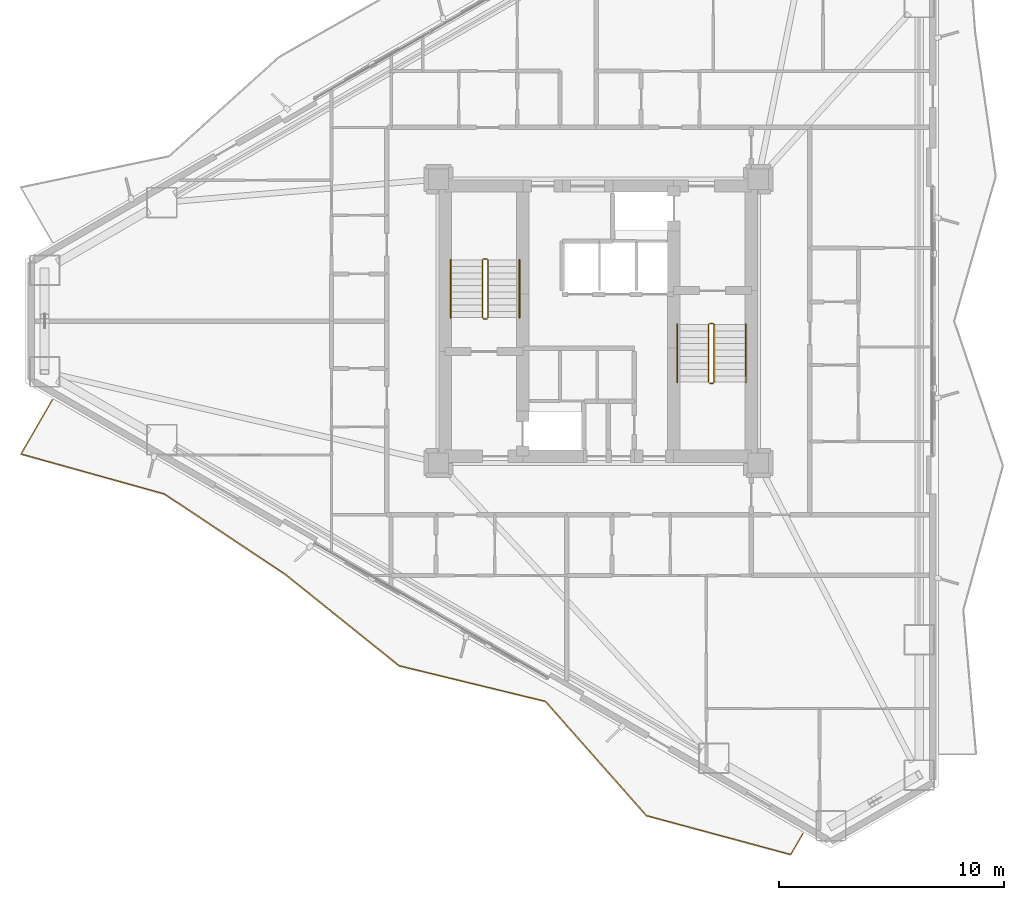
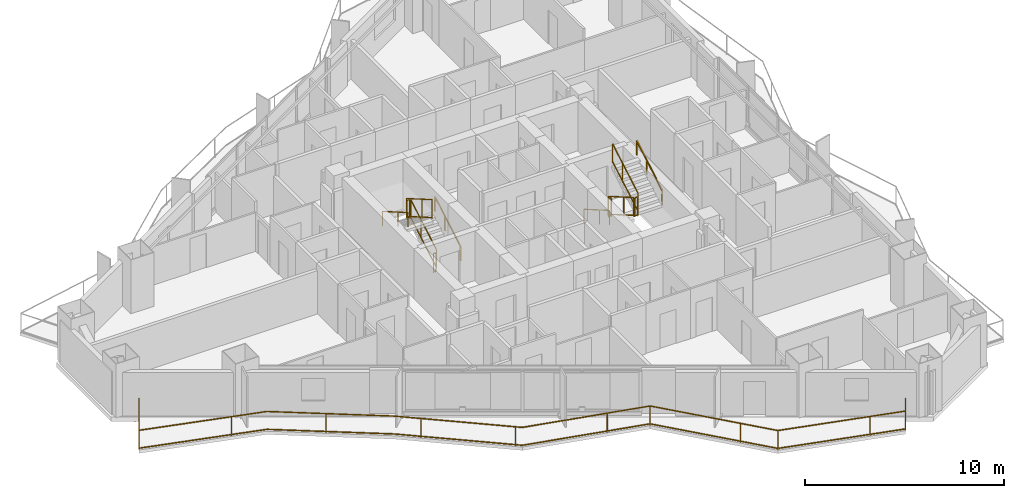
# One storey, part 17 of 18: 13 railings.
"""IFC4 building model written with IfcOpenShell, lengths in metres."""

from ifc_helpers import new_model, si_unit, direction, frame, origin, origin_2d, place, context, subcontext, project, spatial, rectangle, extrude, material, type_object, element, save


model = new_model("IFC4")

# Units and contexts
model_context = context("Model", 3, precision=1e-05, world=origin(), true_north=direction((0.0, 1.0)))
body_context = subcontext(model_context, "Body", "Model", "MODEL_VIEW")
ifc_project = project(units=[si_unit("LENGTHUNIT", "METRE"), si_unit("AREAUNIT", "SQUARE_METRE"), si_unit("VOLUMEUNIT", "CUBIC_METRE"), si_unit("PLANEANGLEUNIT", "RADIAN"), si_unit("MASSUNIT", "GRAM", prefix="KILO")], contexts=[model_context])

# Site, building, storey
site_placement = place(None, origin())
site = spatial("IfcSite", under=ifc_project, at=site_placement, CompositionType="ELEMENT")
building_placement = place(site_placement, origin())
building = spatial("IfcBuilding", under=site, at=building_placement, Name="Mersakhor Tower and Convention Hall", CompositionType="ELEMENT")
storey_placement = place(building_placement, frame((0.0, 0.0, 39.0)))
storey = spatial("IfcBuildingStorey", under=building, at=storey_placement, Name="L10", CompositionType="ELEMENT", Elevation=39.0)

# Railings
ifc_material_1 = material(Name="Powder-coated galvanised steel and laminated glass balustrade", Category="steel")
railing_type_1 = type_object("IfcRailingType", Name="RL-BAL-1200", PredefinedType="BALUSTRADE", material=ifc_material_1)
railing_1_placement = place(storey_placement, frame((4.75048828125, 23.256591796875, 0.0)))
element("IfcRailing", 1, at=railing_1_placement, inside=storey, type_object=railing_type_1, Name="L10 Sinusoidal Balcony Balustrade F3", PredefinedType="BALUSTRADE", context=body_context, shape_type="SweptSolid", body=[
    extrude(rectangle(XDim=0.048095703125, YDim=0.048095703125, at=origin_2d()), frame((0.0, 0.0, 1.17578125), z_axis=(-0.499988210251, -0.866032210492, 0.0), x_axis=(0.866032210492, -0.499988210251, 0.0)), (0.0, 0.0, 1.0), 2.783203125),
    extrude(rectangle(XDim=0.048095703125, YDim=0.048095703125, at=origin_2d()), frame((0.0, 0.0, 0.080078125), z_axis=(-0.499988210251, -0.866032210492, 0.0), x_axis=(0.866032210492, -0.499988210251, 0.0)), (0.0, 0.0, 1.0), 2.783203125),
    extrude(rectangle(XDim=0.048095703125, YDim=0.048095703125, at=origin_2d()), frame((-1.3916015625, -2.410400390625, 1.17578125), z_axis=(0.963280546383, -0.268496906798, 0.0), x_axis=(0.268496906798, 0.963280546383, 0.0)), (0.0, 0.0, 1.0), 6.626953125),
    extrude(rectangle(XDim=0.048095703125, YDim=0.048095703125, at=origin_2d()), frame((-1.3916015625, -2.410400390625, 0.080078125), z_axis=(0.963280546383, -0.268496906798, 0.0), x_axis=(0.268496906798, 0.963280546383, 0.0)), (0.0, 0.0, 1.0), 6.626953125),
    extrude(rectangle(XDim=0.048095703125, YDim=0.048095703125, at=origin_2d()), frame((4.991943359375, -4.189697265625, 1.17578125), z_axis=(0.832663049442, -0.553779961802, 0.0), x_axis=(0.553779961802, 0.832663049442, 0.0)), (0.0, 0.0, 1.0), 6.430908203125),
    extrude(rectangle(XDim=0.048095703125, YDim=0.048095703125, at=origin_2d()), frame((4.991943359375, -4.189697265625, 0.080078125), z_axis=(0.832663049442, -0.553779961802, 0.0), x_axis=(0.553779961802, 0.832663049442, 0.0)), (0.0, 0.0, 1.0), 6.430908203125),
    extrude(rectangle(XDim=0.048095703125, YDim=0.048095703125, at=origin_2d()), frame((10.3466796875, -7.7509765625, 1.17578125), z_axis=(0.779763572686, -0.626074093628, 0.0), x_axis=(0.626074093628, 0.779763572686, 0.0)), (0.0, 0.0, 1.0), 6.493896484375),
    extrude(rectangle(XDim=0.048095703125, YDim=0.048095703125, at=origin_2d()), frame((10.3466796875, -7.7509765625, 0.080078125), z_axis=(0.779763572686, -0.626074093628, 0.0), x_axis=(0.626074093628, 0.779763572686, 0.0)), (0.0, 0.0, 1.0), 6.493896484375),
    extrude(rectangle(XDim=0.048095703125, YDim=0.048095703125, at=origin_2d()), frame((15.410400390625, -11.816650390625, 1.17578125), z_axis=(0.971612511233, -0.236577953361, 0.0), x_axis=(0.236577953361, 0.971612511233, 0.0)), (0.0, 0.0, 1.0), 6.687255859375),
    extrude(rectangle(XDim=0.048095703125, YDim=0.048095703125, at=origin_2d()), frame((15.410400390625, -11.816650390625, 0.080078125), z_axis=(0.971612511233, -0.236577953361, 0.0), x_axis=(0.236577953361, 0.971612511233, 0.0)), (0.0, 0.0, 1.0), 6.687255859375),
    extrude(rectangle(XDim=0.048095703125, YDim=0.048095703125, at=origin_2d()), frame((21.90771484375, -13.398681640625, 1.17578125), z_axis=(0.662137983519, -0.749381939188, 0.0), x_axis=(0.749381939188, 0.662137983519, 0.0)), (0.0, 0.0, 1.0), 6.769287109375),
    extrude(rectangle(XDim=0.048095703125, YDim=0.048095703125, at=origin_2d()), frame((21.90771484375, -13.398681640625, 0.080078125), z_axis=(0.662137983519, -0.749381939188, 0.0), x_axis=(0.749381939188, 0.662137983519, 0.0)), (0.0, 0.0, 1.0), 6.769287109375),
    extrude(rectangle(XDim=0.048095703125, YDim=0.048095703125, at=origin_2d()), frame((26.389892578125, -18.471435546875, 1.17578125), z_axis=(0.965445178038, -0.260606232089, 0.0), x_axis=(0.260606232089, 0.965445178038, 0.0)), (0.0, 0.0, 1.0), 6.64111328125),
    extrude(rectangle(XDim=0.048095703125, YDim=0.048095703125, at=origin_2d()), frame((26.389892578125, -18.471435546875, 0.080078125), z_axis=(0.965445178038, -0.260606232089, 0.0), x_axis=(0.260606232089, 0.965445178038, 0.0)), (0.0, 0.0, 1.0), 6.64111328125),
    extrude(rectangle(XDim=0.048095703125, YDim=0.048095703125, at=origin_2d()), frame((32.801513671875, -20.2021484375, 1.17578125), z_axis=(0.500095571584, 0.865970218473, 0.0), x_axis=(-0.865970218473, 0.500095571584, 0.0)), (0.0, 0.0, 1.0), 1.094970703125),
    extrude(rectangle(XDim=0.048095703125, YDim=0.048095703125, at=origin_2d()), frame((32.801513671875, -20.2021484375, 0.080078125), z_axis=(0.500095571584, 0.865970218473, 0.0), x_axis=(-0.865970218473, 0.500095571584, 0.0)), (0.0, 0.0, 1.0), 1.094970703125),
    extrude(rectangle(XDim=0.0419921875, YDim=0.0419921875, at=origin_2d()), origin(), (0.0, 0.0, 1.0), 1.15185546875),
    extrude(rectangle(XDim=0.0419921875, YDim=0.0419921875, at=origin_2d()), frame((-1.3916015625, -2.410400390625, 0.0)), (0.0, 0.0, 1.0), 1.15185546875),
    extrude(rectangle(XDim=0.0419921875, YDim=0.0419921875, at=origin_2d()), frame((3.232177734375, -3.69921875, 0.0)), (0.0, 0.0, 1.0), 1.15185546875),
    extrude(rectangle(XDim=0.0419921875, YDim=0.0419921875, at=origin_2d()), frame((7.467529296875, -5.836181640625, 0.0)), (0.0, 0.0, 1.0), 1.15185546875),
    extrude(rectangle(XDim=0.0419921875, YDim=0.0419921875, at=origin_2d()), frame((11.393310546875, -8.59130859375, 0.0)), (0.0, 0.0, 1.0), 1.15185546875),
    extrude(rectangle(XDim=0.0419921875, YDim=0.0419921875, at=origin_2d()), frame((15.13623046875, -11.596435546875, 0.0)), (0.0, 0.0, 1.0), 1.15185546875),
    extrude(rectangle(XDim=0.0419921875, YDim=0.0419921875, at=origin_2d()), frame((19.732421875, -12.869140625, 0.0)), (0.0, 0.0, 1.0), 1.15185546875),
    extrude(rectangle(XDim=0.0419921875, YDim=0.0419921875, at=origin_2d()), frame((21.90771484375, -13.398681640625, 0.0)), (0.0, 0.0, 1.0), 1.15185546875),
    extrude(rectangle(XDim=0.0419921875, YDim=0.0419921875, at=origin_2d()), frame((25.0859375, -16.99560546875, 0.0)), (0.0, 0.0, 1.0), 1.15185546875),
    extrude(rectangle(XDim=0.0419921875, YDim=0.0419921875, at=origin_2d()), frame((26.389892578125, -18.471435546875, 0.0)), (0.0, 0.0, 1.0), 1.15185546875),
    extrude(rectangle(XDim=0.0419921875, YDim=0.0419921875, at=origin_2d()), frame((31.02392578125, -19.722412109375, 0.0)), (0.0, 0.0, 1.0), 1.15185546875),
    extrude(rectangle(XDim=0.0419921875, YDim=0.0419921875, at=origin_2d()), frame((32.801513671875, -20.2021484375, 0.0)), (0.0, 0.0, 1.0), 1.15185546875),
    extrude(rectangle(XDim=0.0419921875, YDim=0.0419921875, at=origin_2d()), frame((33.34912109375, -19.25390625, 0.0)), (0.0, 0.0, 1.0), 1.15185546875),
])
ifc_material_2 = material(Name="Brushed stainless steel handrail", Category="steel")
railing_type_2 = type_object("IfcRailingType", Name="RL-HR-900", PredefinedType="HANDRAIL", material=ifc_material_2)
railing_2_placement = place(storey_placement, frame((25.5, 26.89990234375, 0.1650390625)))
element("IfcRailing", 2, at=railing_2_placement, inside=storey, type_object=railing_type_2, Name="L10 ST-1 stair handrail 1", PredefinedType="HANDRAIL", context=body_context, shape_type="SweptSolid", body=[
    extrude(rectangle(XDim=0.048095703125, YDim=0.048095703125, at=origin_2d()), frame((0.0, 0.0, 0.8759765625), z_axis=(0.0, 0.865461999751, 0.500974577186), x_axis=(-1.0, 0.0, 0.0)), (0.0, 0.0, 1.0), 2.9638671875),
    extrude(rectangle(XDim=0.0419921875, YDim=0.0419921875, at=origin_2d()), origin(), (0.0, 0.0, 1.0), 0.851806640625),
    extrude(rectangle(XDim=0.0419921875, YDim=0.0419921875, at=origin_2d()), frame((0.0, 1.557861328125, 0.90185546875)), (0.0, 0.0, 1.0), 0.851806640625),
    extrude(rectangle(XDim=0.0419921875, YDim=0.0419921875, at=origin_2d()), frame((0.0, 2.565185546875, 1.48486328125)), (0.0, 0.0, 1.0), 0.851806640625),
])
railing_3_placement = place(storey_placement, frame((22.449951171875, 29.465087890625, 1.81494140625)))
element("IfcRailing", 3, at=railing_3_placement, inside=storey, type_object=railing_type_2, Name="L10 ST-1 stair handrail 2", PredefinedType="HANDRAIL", context=body_context, shape_type="SweptSolid", body=[
    extrude(rectangle(XDim=0.048095703125, YDim=0.048095703125, at=origin_2d()), frame((0.0, 0.0, 0.8759765625), z_axis=(0.0, -0.865426285481, 0.501036270542), x_axis=(1.0, 0.0, 0.0)), (0.0, 0.0, 1.0), 2.964111328125),
    extrude(rectangle(XDim=0.0419921875, YDim=0.0419921875, at=origin_2d()), origin(), (0.0, 0.0, 1.0), 0.851806640625),
    extrude(rectangle(XDim=0.0419921875, YDim=0.0419921875, at=origin_2d()), frame((0.0, -1.557861328125, 0.90185546875)), (0.0, 0.0, 1.0), 0.851806640625),
    extrude(rectangle(XDim=0.0419921875, YDim=0.0419921875, at=origin_2d()), frame((0.0, -2.565185546875, 1.485107421875)), (0.0, 0.0, 1.0), 0.851806640625),
])
railing_4_placement = place(storey_placement, frame((32.5, 26.60009765625, 0.1650390625)))
element("IfcRailing", 4, at=railing_4_placement, inside=storey, type_object=railing_type_2, Name="L10 ST-2 stair handrail 1", PredefinedType="HANDRAIL", context=body_context, shape_type="SweptSolid", body=[
    extrude(rectangle(XDim=0.048095703125, YDim=0.048095703125, at=origin_2d()), frame((0.0, 0.0, 0.8759765625), z_axis=(0.0, -0.865461999751, 0.500974577186), x_axis=(1.0, 0.0, 0.0)), (0.0, 0.0, 1.0), 2.9638671875),
    extrude(rectangle(XDim=0.0419921875, YDim=0.0419921875, at=origin_2d()), origin(), (0.0, 0.0, 1.0), 0.851806640625),
    extrude(rectangle(XDim=0.0419921875, YDim=0.0419921875, at=origin_2d()), frame((0.0, -1.557861328125, 0.90185546875)), (0.0, 0.0, 1.0), 0.851806640625),
    extrude(rectangle(XDim=0.0419921875, YDim=0.0419921875, at=origin_2d()), frame((0.0, -2.565185546875, 1.48486328125)), (0.0, 0.0, 1.0), 0.851806640625),
])
railing_5_placement = place(storey_placement, frame((35.550048828125, 24.034912109375, 1.81494140625)))
element("IfcRailing", 5, at=railing_5_placement, inside=storey, type_object=railing_type_2, Name="L10 ST-2 stair handrail 2", PredefinedType="HANDRAIL", context=body_context, shape_type="SweptSolid", body=[
    extrude(rectangle(XDim=0.048095703125, YDim=0.048095703125, at=origin_2d()), frame((0.0, 0.0, 0.8759765625), z_axis=(0.0, 0.865426285481, 0.501036270542), x_axis=(-1.0, 0.0, 0.0)), (0.0, 0.0, 1.0), 2.964111328125),
    extrude(rectangle(XDim=0.0419921875, YDim=0.0419921875, at=origin_2d()), origin(), (0.0, 0.0, 1.0), 0.851806640625),
    extrude(rectangle(XDim=0.0419921875, YDim=0.0419921875, at=origin_2d()), frame((0.0, 1.557861328125, 0.90185546875)), (0.0, 0.0, 1.0), 0.851806640625),
    extrude(rectangle(XDim=0.0419921875, YDim=0.0419921875, at=origin_2d()), frame((0.0, 2.565185546875, 1.485107421875)), (0.0, 0.0, 1.0), 0.851806640625),
])
ifc_material_3 = material(Name="Painted steel stair balustrade S355", Category="steel")
railing_type_3 = type_object("IfcRailingType", Name="RL-STG-1200", PredefinedType="BALUSTRADE", material=ifc_material_3)
railing_6_placement = place(storey_placement, frame((24.10009765625, 26.89990234375, 0.1650390625)))
element("IfcRailing", 6, at=railing_6_placement, inside=storey, type_object=railing_type_3, Name="L10 ST-1 stair guard 1", PredefinedType="BALUSTRADE", context=body_context, shape_type="SweptSolid", body=[
    extrude(rectangle(XDim=0.048095703125, YDim=0.048095703125, at=origin_2d()), frame((0.0, 0.0, 1.17578125), z_axis=(0.0, 0.865461999751, 0.500974577186), x_axis=(-1.0, 0.0, 0.0)), (0.0, 0.0, 1.0), 2.9638671875),
    extrude(rectangle(XDim=0.048095703125, YDim=0.048095703125, at=origin_2d()), frame((0.0, 0.0, 0.080078125), z_axis=(0.0, 0.865461999751, 0.500974577186), x_axis=(-1.0, 0.0, 0.0)), (0.0, 0.0, 1.0), 2.9638671875),
    extrude(rectangle(XDim=0.0419921875, YDim=0.0419921875, at=origin_2d()), origin(), (0.0, 0.0, 1.0), 1.15185546875),
    extrude(rectangle(XDim=0.0419921875, YDim=0.0419921875, at=origin_2d()), frame((0.0, 1.557861328125, 0.90185546875)), (0.0, 0.0, 1.0), 1.15185546875),
    extrude(rectangle(XDim=0.0419921875, YDim=0.0419921875, at=origin_2d()), frame((0.0, 2.565185546875, 1.48486328125)), (0.0, 0.0, 1.0), 1.15185546875),
])
railing_7_placement = place(storey_placement, frame((24.050048828125, 29.514892578125, 1.64990234375)))
element("IfcRailing", 7, at=railing_7_placement, inside=storey, type_object=railing_type_3, Name="L10 ST-1 stair guard 2", PredefinedType="BALUSTRADE", context=body_context, shape_type="SweptSolid", body=[
    extrude(rectangle(XDim=0.048095703125, YDim=0.048095703125, at=origin_2d()), frame((0.0, 0.0, 1.17578125), z_axis=(-1.0, 0.0, 0.0), x_axis=(0.0, -1.0, 0.0)), (0.0, 0.0, 1.0), 0.150146484375),
    extrude(rectangle(XDim=0.048095703125, YDim=0.048095703125, at=origin_2d()), frame((0.0, 0.0, 0.080078125), z_axis=(-1.0, 0.0, 0.0), x_axis=(0.0, -1.0, 0.0)), (0.0, 0.0, 1.0), 0.150146484375),
    extrude(rectangle(XDim=0.0419921875, YDim=0.0419921875, at=origin_2d()), origin(), (0.0, 0.0, 1.0), 1.15185546875),
    extrude(rectangle(XDim=0.0419921875, YDim=0.0419921875, at=origin_2d()), frame((-0.150146484375, 0.0, 0.0)), (0.0, 0.0, 1.0), 1.15185546875),
])
railing_8_placement = place(storey_placement, frame((23.85009765625, 29.465087890625, 1.81494140625)))
element("IfcRailing", 8, at=railing_8_placement, inside=storey, type_object=railing_type_3, Name="L10 ST-1 stair guard 3", PredefinedType="BALUSTRADE", context=body_context, shape_type="SweptSolid", body=[
    extrude(rectangle(XDim=0.048095703125, YDim=0.048095703125, at=origin_2d()), frame((0.0, 0.0, 1.17578125), z_axis=(0.0, -0.865426285481, 0.501036270542), x_axis=(1.0, 0.0, 0.0)), (0.0, 0.0, 1.0), 2.964111328125),
    extrude(rectangle(XDim=0.048095703125, YDim=0.048095703125, at=origin_2d()), frame((0.0, 0.0, 0.080078125), z_axis=(0.0, -0.865426285481, 0.501036270542), x_axis=(1.0, 0.0, 0.0)), (0.0, 0.0, 1.0), 2.964111328125),
    extrude(rectangle(XDim=0.0419921875, YDim=0.0419921875, at=origin_2d()), origin(), (0.0, 0.0, 1.0), 1.15185546875),
    extrude(rectangle(XDim=0.0419921875, YDim=0.0419921875, at=origin_2d()), frame((0.0, -1.557861328125, 0.90185546875)), (0.0, 0.0, 1.0), 1.15185546875),
    extrude(rectangle(XDim=0.0419921875, YDim=0.0419921875, at=origin_2d()), frame((0.0, -2.565185546875, 1.485107421875)), (0.0, 0.0, 1.0), 1.15185546875),
])
railing_9_placement = place(storey_placement, frame((24.050048828125, 26.85009765625, 0.0)))
element("IfcRailing", 9, at=railing_9_placement, inside=storey, type_object=railing_type_3, Name="L10 ST-1 stair guard 4", PredefinedType="BALUSTRADE", context=body_context, shape_type="SweptSolid", body=[
    extrude(rectangle(XDim=0.048095703125, YDim=0.048095703125, at=origin_2d()), frame((0.0, 0.0, 1.17578125), z_axis=(-1.0, 0.0, 0.0), x_axis=(0.0, -1.0, 0.0)), (0.0, 0.0, 1.0), 0.150146484375),
    extrude(rectangle(XDim=0.048095703125, YDim=0.048095703125, at=origin_2d()), frame((0.0, 0.0, 0.080078125), z_axis=(-1.0, 0.0, 0.0), x_axis=(0.0, -1.0, 0.0)), (0.0, 0.0, 1.0), 0.150146484375),
    extrude(rectangle(XDim=0.0419921875, YDim=0.0419921875, at=origin_2d()), origin(), (0.0, 0.0, 1.0), 1.15185546875),
    extrude(rectangle(XDim=0.0419921875, YDim=0.0419921875, at=origin_2d()), frame((-0.150146484375, 0.0, 0.0)), (0.0, 0.0, 1.0), 1.15185546875),
])
railing_10_placement = place(storey_placement, frame((33.89990234375, 26.60009765625, 0.1650390625)))
element("IfcRailing", 10, at=railing_10_placement, inside=storey, type_object=railing_type_3, Name="L10 ST-2 stair guard 1", PredefinedType="BALUSTRADE", context=body_context, shape_type="SweptSolid", body=[
    extrude(rectangle(XDim=0.048095703125, YDim=0.048095703125, at=origin_2d()), frame((0.0, 0.0, 1.17578125), z_axis=(0.0, -0.865461999751, 0.500974577186), x_axis=(1.0, 0.0, 0.0)), (0.0, 0.0, 1.0), 2.9638671875),
    extrude(rectangle(XDim=0.048095703125, YDim=0.048095703125, at=origin_2d()), frame((0.0, 0.0, 0.080078125), z_axis=(0.0, -0.865461999751, 0.500974577186), x_axis=(1.0, 0.0, 0.0)), (0.0, 0.0, 1.0), 2.9638671875),
    extrude(rectangle(XDim=0.0419921875, YDim=0.0419921875, at=origin_2d()), origin(), (0.0, 0.0, 1.0), 1.15185546875),
    extrude(rectangle(XDim=0.0419921875, YDim=0.0419921875, at=origin_2d()), frame((0.0, -1.557861328125, 0.90185546875)), (0.0, 0.0, 1.0), 1.15185546875),
    extrude(rectangle(XDim=0.0419921875, YDim=0.0419921875, at=origin_2d()), frame((0.0, -2.565185546875, 1.48486328125)), (0.0, 0.0, 1.0), 1.15185546875),
])
railing_11_placement = place(storey_placement, frame((33.949951171875, 23.985107421875, 1.64990234375)))
element("IfcRailing", 11, at=railing_11_placement, inside=storey, type_object=railing_type_3, Name="L10 ST-2 stair guard 2", PredefinedType="BALUSTRADE", context=body_context, shape_type="SweptSolid", body=[
    extrude(rectangle(XDim=0.048095703125, YDim=0.048095703125, at=origin_2d()), frame((0.0, 0.0, 1.17578125), z_axis=(1.0, 0.0, 0.0), x_axis=(0.0, 1.0, 0.0)), (0.0, 0.0, 1.0), 0.150146484375),
    extrude(rectangle(XDim=0.048095703125, YDim=0.048095703125, at=origin_2d()), frame((0.0, 0.0, 0.080078125), z_axis=(1.0, 0.0, 0.0), x_axis=(0.0, 1.0, 0.0)), (0.0, 0.0, 1.0), 0.150146484375),
    extrude(rectangle(XDim=0.0419921875, YDim=0.0419921875, at=origin_2d()), origin(), (0.0, 0.0, 1.0), 1.15185546875),
    extrude(rectangle(XDim=0.0419921875, YDim=0.0419921875, at=origin_2d()), frame((0.150146484375, 0.0, 0.0)), (0.0, 0.0, 1.0), 1.15185546875),
])
railing_12_placement = place(storey_placement, frame((34.14990234375, 24.034912109375, 1.81494140625)))
element("IfcRailing", 12, at=railing_12_placement, inside=storey, type_object=railing_type_3, Name="L10 ST-2 stair guard 3", PredefinedType="BALUSTRADE", context=body_context, shape_type="SweptSolid", body=[
    extrude(rectangle(XDim=0.048095703125, YDim=0.048095703125, at=origin_2d()), frame((0.0, 0.0, 1.17578125), z_axis=(0.0, 0.865426285481, 0.501036270542), x_axis=(-1.0, 0.0, 0.0)), (0.0, 0.0, 1.0), 2.964111328125),
    extrude(rectangle(XDim=0.048095703125, YDim=0.048095703125, at=origin_2d()), frame((0.0, 0.0, 0.080078125), z_axis=(0.0, 0.865426285481, 0.501036270542), x_axis=(-1.0, 0.0, 0.0)), (0.0, 0.0, 1.0), 2.964111328125),
    extrude(rectangle(XDim=0.0419921875, YDim=0.0419921875, at=origin_2d()), origin(), (0.0, 0.0, 1.0), 1.15185546875),
    extrude(rectangle(XDim=0.0419921875, YDim=0.0419921875, at=origin_2d()), frame((0.0, 1.557861328125, 0.90185546875)), (0.0, 0.0, 1.0), 1.15185546875),
    extrude(rectangle(XDim=0.0419921875, YDim=0.0419921875, at=origin_2d()), frame((0.0, 2.565185546875, 1.485107421875)), (0.0, 0.0, 1.0), 1.15185546875),
])
railing_13_placement = place(storey_placement, frame((33.949951171875, 26.64990234375, 0.0)))
element("IfcRailing", 13, at=railing_13_placement, inside=storey, type_object=railing_type_3, Name="L10 ST-2 stair guard 4", PredefinedType="BALUSTRADE", context=body_context, shape_type="SweptSolid", body=[
    extrude(rectangle(XDim=0.048095703125, YDim=0.048095703125, at=origin_2d()), frame((0.0, 0.0, 1.17578125), z_axis=(1.0, 0.0, 0.0), x_axis=(0.0, 1.0, 0.0)), (0.0, 0.0, 1.0), 0.150146484375),
    extrude(rectangle(XDim=0.048095703125, YDim=0.048095703125, at=origin_2d()), frame((0.0, 0.0, 0.080078125), z_axis=(1.0, 0.0, 0.0), x_axis=(0.0, 1.0, 0.0)), (0.0, 0.0, 1.0), 0.150146484375),
    extrude(rectangle(XDim=0.0419921875, YDim=0.0419921875, at=origin_2d()), origin(), (0.0, 0.0, 1.0), 1.15185546875),
    extrude(rectangle(XDim=0.0419921875, YDim=0.0419921875, at=origin_2d()), frame((0.150146484375, 0.0, 0.0)), (0.0, 0.0, 1.0), 1.15185546875),
])

save(model, "model.ifc")
